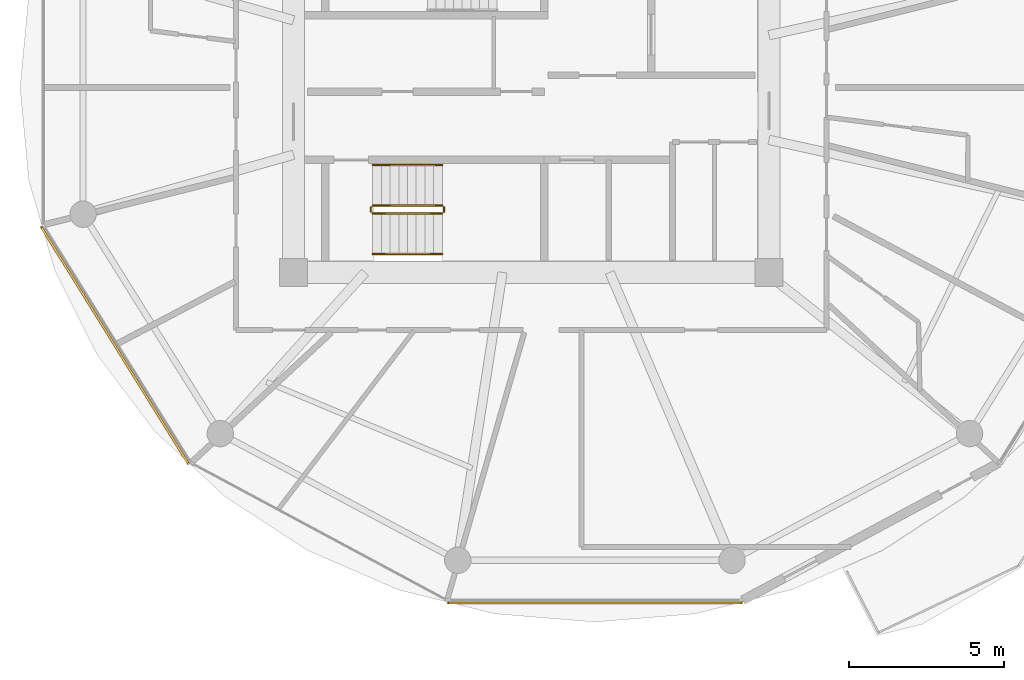
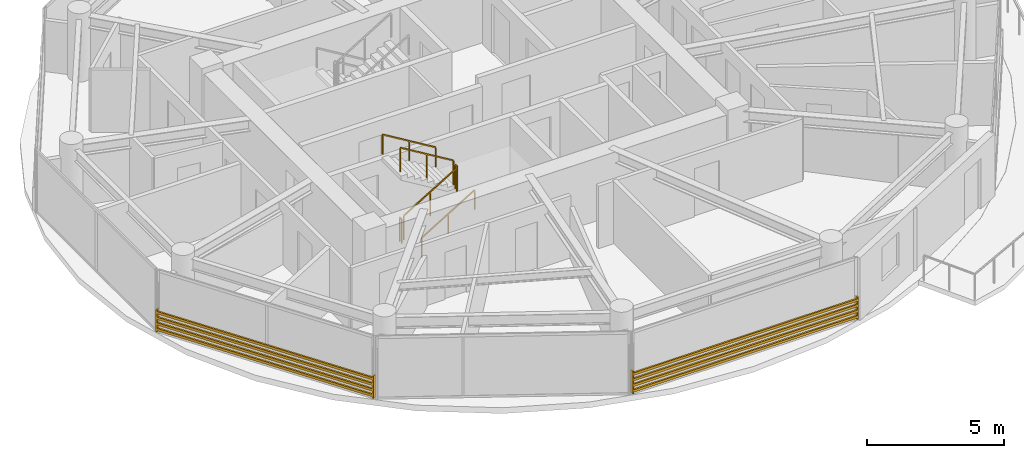
# One storey, part 19 of 22: 6 railings, 2 shading devices.
"""IFC4 building model written with IfcOpenShell, lengths in metres."""

from ifc_helpers import new_model, si_unit, direction, frame, origin, origin_2d, place, context, subcontext, project, spatial, rectangle, extrude, source, transform, mapped, material, type_object, type_shapes, element, save


model = new_model("IFC4")

# Units and contexts
model_context = context("Model", 3, precision=1e-05, world=origin(), true_north=direction((0.0, 1.0)))
body_context = subcontext(model_context, "Body", "Model", "MODEL_VIEW")
ifc_project = project(units=[si_unit("LENGTHUNIT", "METRE"), si_unit("AREAUNIT", "SQUARE_METRE"), si_unit("VOLUMEUNIT", "CUBIC_METRE"), si_unit("PLANEANGLEUNIT", "RADIAN"), si_unit("MASSUNIT", "GRAM", prefix="KILO")], contexts=[model_context])

# Site, building, storey
site_placement = place(None, origin())
site = spatial("IfcSite", under=ifc_project, at=site_placement, CompositionType="ELEMENT")
building_placement = place(site_placement, origin())
building = spatial("IfcBuilding", under=site, at=building_placement, Name="Norrkilde Senior Care Towers", CompositionType="ELEMENT")
storey_placement = place(building_placement, frame((0.0, 0.0, 123.699951171875)))
storey = spatial("IfcBuildingStorey", under=building, at=storey_placement, Name="L38", CompositionType="ELEMENT", Elevation=123.699951171875)

# Railings
ifc_material_1 = material(Name="Stainless Steel", Category="steel")
railing_type_1 = type_object("IfcRailingType", Name="Stair and Terrace Guardrail 1100", PredefinedType="GUARDRAIL", material=ifc_material_1)
railing_1_placement = place(storey_placement, frame((-33.10009765625, -4.050048828125, 0.16943359375)))
element("IfcRailing", 1, at=railing_1_placement, inside=storey, type_object=railing_type_1, Name="L38 ST-W2 stair guard 1", PredefinedType="GUARDRAIL", context=body_context, shape_type="SweptSolid", body=[
    extrude(rectangle(XDim=0.048095703125, YDim=0.048095703125, at=origin_2d()), frame((0.0, 0.0, 1.076171875), z_axis=(0.855512035549, 0.0, 0.517782924622), x_axis=(0.0, 1.0, 0.0)), (0.0, 0.0, 1.0), 2.618408203125),
    extrude(rectangle(XDim=0.0419921875, YDim=0.0419921875, at=origin_2d()), origin(), (0.0, 0.0, 1.0), 1.050048828125),
    extrude(rectangle(XDim=0.0419921875, YDim=0.0419921875, at=origin_2d()), frame((1.1201171875, 0.0, 0.677734375)), (0.0, 0.0, 1.0), 1.050048828125),
    extrude(rectangle(XDim=0.0419921875, YDim=0.0419921875, at=origin_2d()), frame((2.239990234375, 0.0, 1.355712890625)), (0.0, 0.0, 1.0), 1.050048828125),
])
railing_2_placement = place(storey_placement, frame((-30.81005859375, -4.0, 1.525146484375)))
element("IfcRailing", 2, at=railing_2_placement, inside=storey, type_object=railing_type_1, Name="L38 ST-W2 stair guard 2", PredefinedType="GUARDRAIL", context=body_context, shape_type="SweptSolid", body=[
    extrude(rectangle(XDim=0.048095703125, YDim=0.048095703125, at=origin_2d()), frame((0.0, 0.0, 1.076171875), z_axis=(0.0, 1.0, 0.0), x_axis=(-1.0, 0.0, 0.0)), (0.0, 0.0, 1.0), 0.14990234375),
    extrude(rectangle(XDim=0.0419921875, YDim=0.0419921875, at=origin_2d()), origin(), (0.0, 0.0, 1.0), 1.050048828125),
    extrude(rectangle(XDim=0.0419921875, YDim=0.0419921875, at=origin_2d()), frame((0.0, 0.14990234375, 0.0)), (0.0, 0.0, 1.0), 1.050048828125),
])
railing_3_placement = place(storey_placement, frame((-30.860107421875, -3.800048828125, 1.694580078125)))
element("IfcRailing", 3, at=railing_3_placement, inside=storey, type_object=railing_type_1, Name="L38 ST-W2 stair guard 3", PredefinedType="GUARDRAIL", context=body_context, shape_type="SweptSolid", body=[
    extrude(rectangle(XDim=0.048095703125, YDim=0.048095703125, at=origin_2d()), frame((0.0, 0.0, 1.076171875), z_axis=(-0.855553338991, 0.0, 0.51771467445), x_axis=(0.0, -1.0, 0.0)), (0.0, 0.0, 1.0), 2.6181640625),
    extrude(rectangle(XDim=0.0419921875, YDim=0.0419921875, at=origin_2d()), origin(), (0.0, 0.0, 1.0), 1.050048828125),
    extrude(rectangle(XDim=0.0419921875, YDim=0.0419921875, at=origin_2d()), frame((-1.1201171875, 0.0, 0.677734375)), (0.0, 0.0, 1.0), 1.050048828125),
    extrude(rectangle(XDim=0.0419921875, YDim=0.0419921875, at=origin_2d()), frame((-2.239990234375, 0.0, 1.35546875)), (0.0, 0.0, 1.0), 1.050048828125),
])
railing_4_placement = place(storey_placement, frame((-33.14990234375, -4.0, 0.0)))
element("IfcRailing", 4, at=railing_4_placement, inside=storey, type_object=railing_type_1, Name="L38 ST-W2 stair guard 4", PredefinedType="GUARDRAIL", context=body_context, shape_type="SweptSolid", body=[
    extrude(rectangle(XDim=0.048095703125, YDim=0.048095703125, at=origin_2d()), frame((0.0, 0.0, 1.076171875), z_axis=(0.0, 1.0, 0.0), x_axis=(-1.0, 0.0, 0.0)), (0.0, 0.0, 1.0), 0.14990234375),
    extrude(rectangle(XDim=0.0419921875, YDim=0.0419921875, at=origin_2d()), origin(), (0.0, 0.0, 1.0), 1.050048828125),
    extrude(rectangle(XDim=0.0419921875, YDim=0.0419921875, at=origin_2d()), frame((0.0, 0.14990234375, 0.0)), (0.0, 0.0, 1.0), 1.050048828125),
])
ifc_material_2 = material(Name="Nordic Ash Timber", Category="wood")
railing_type_2 = type_object("IfcRailingType", Name="Wall and Stair Handrail 900", PredefinedType="HANDRAIL", material=ifc_material_2)
railing_5_placement = place(storey_placement, frame((-33.10009765625, -5.35009765625, 0.16943359375)))
element("IfcRailing", 5, at=railing_5_placement, inside=storey, type_object=railing_type_2, Name="L38 ST-W2 stair handrail 1", PredefinedType="HANDRAIL", context=body_context, shape_type="SweptSolid", body=[
    extrude(rectangle(XDim=0.048095703125, YDim=0.048095703125, at=origin_2d()), frame((0.0, 0.0, 0.8759765625), z_axis=(0.855512035549, 0.0, 0.517782924622), x_axis=(0.0, 1.0, 0.0)), (0.0, 0.0, 1.0), 2.618408203125),
    extrude(rectangle(XDim=0.0419921875, YDim=0.0419921875, at=origin_2d()), origin(), (0.0, 0.0, 1.0), 0.849853515625),
    extrude(rectangle(XDim=0.0419921875, YDim=0.0419921875, at=origin_2d()), frame((1.1201171875, 0.0, 0.677734375)), (0.0, 0.0, 1.0), 0.849853515625),
    extrude(rectangle(XDim=0.0419921875, YDim=0.0419921875, at=origin_2d()), frame((2.239990234375, 0.0, 1.355712890625)), (0.0, 0.0, 1.0), 0.849853515625),
])
railing_6_placement = place(storey_placement, frame((-30.860107421875, -2.5, 1.694580078125)))
element("IfcRailing", 6, at=railing_6_placement, inside=storey, type_object=railing_type_2, Name="L38 ST-W2 stair handrail 2", PredefinedType="HANDRAIL", context=body_context, shape_type="SweptSolid", body=[
    extrude(rectangle(XDim=0.048095703125, YDim=0.048095703125, at=origin_2d()), frame((0.0, 0.0, 0.8759765625), z_axis=(-0.855553338991, 0.0, 0.51771467445), x_axis=(0.0, -1.0, 0.0)), (0.0, 0.0, 1.0), 2.6181640625),
    extrude(rectangle(XDim=0.0419921875, YDim=0.0419921875, at=origin_2d()), origin(), (0.0, 0.0, 1.0), 0.849853515625),
    extrude(rectangle(XDim=0.0419921875, YDim=0.0419921875, at=origin_2d()), frame((-1.1201171875, 0.0, 0.677734375)), (0.0, 0.0, 1.0), 0.849853515625),
    extrude(rectangle(XDim=0.0419921875, YDim=0.0419921875, at=origin_2d()), frame((-2.239990234375, 0.0, 1.35546875)), (0.0, 0.0, 1.0), 0.849853515625),
])

# Shading devices
ifc_material_3 = material(Name="Architectural Terracotta", Category="masonry")
shading_device_type = type_object("IfcShadingDeviceType", Name="Horizontal Terracotta Baguette Rack", PredefinedType="USERDEFINED", material=ifc_material_3)
shared_shape_1 = source(origin(), body_context, "Body", "SweptSolid", [
    extrude(rectangle(XDim=0.070068359375, YDim=0.110107421875, at=origin_2d()), frame((0.0, 0.090087890625, 0.125), z_axis=(1.0, 0.0, 0.0), x_axis=(0.0, 1.0, 0.0)), (0.0, 0.0, 1.0), 9.01416015625),
    extrude(rectangle(XDim=0.070068359375, YDim=0.110107421875, at=origin_2d()), frame((0.0, 0.090087890625, 0.375), z_axis=(1.0, 0.0, 0.0), x_axis=(0.0, 1.0, 0.0)), (0.0, 0.0, 1.0), 9.01416015625),
    extrude(rectangle(XDim=0.070068359375, YDim=0.110107421875, at=origin_2d()), frame((0.0, 0.090087890625, 0.625), z_axis=(1.0, 0.0, 0.0), x_axis=(0.0, 1.0, 0.0)), (0.0, 0.0, 1.0), 9.01416015625),
    extrude(rectangle(XDim=0.070068359375, YDim=0.110107421875, at=origin_2d()), frame((0.0, 0.090087890625, 0.875), z_axis=(1.0, 0.0, 0.0), x_axis=(0.0, 1.0, 0.0)), (0.0, 0.0, 1.0), 9.01416015625),
    extrude(rectangle(XDim=0.050048828125, YDim=0.1552734375, at=origin_2d()), frame((0.02490234375, 0.047607421875, 0.0)), (0.0, 0.0, 1.0), 1.0),
    extrude(rectangle(XDim=0.050048828125, YDim=0.1552734375, at=origin_2d()), frame((8.9892578125, 0.047607421875, 0.0)), (0.0, 0.0, 1.0), 1.0),
])
shading_device_1_placement = place(storey_placement, frame((-38.946533203125, -12.077392578125, 0.080078125), z_axis=(0.0, 0.0, 1.0), x_axis=(-0.527734142246, 0.849412274525, 0.0)))
element("IfcShadingDevice", 7, at=shading_device_1_placement, inside=storey, type_object=shading_device_type, Name="L38 Drum W Terracotta Baguette Screen 06", ObjectType="BAGUETTE", PredefinedType="USERDEFINED", context=body_context, shape_type="MappedRepresentation", body=[
    mapped(shared_shape_1, transform((0.0, 0.0, 0.0), x_axis=(1.0, 0.0, 0.0), y_axis=(0.0, 1.0, 0.0), z_axis=(0.0, 0.0, 1.0), scale=1.0)),
])
shared_shape_2 = source(origin(), body_context, "Body", "SweptSolid", [
    extrude(rectangle(XDim=0.070068359375, YDim=0.110107421875, at=origin_2d()), frame((0.0, 0.090087890625, 0.125), z_axis=(1.0, 0.0, 0.0), x_axis=(0.0, 1.0, 0.0)), (0.0, 0.0, 1.0), 9.51416015625),
    extrude(rectangle(XDim=0.070068359375, YDim=0.110107421875, at=origin_2d()), frame((0.0, 0.090087890625, 0.375), z_axis=(1.0, 0.0, 0.0), x_axis=(0.0, 1.0, 0.0)), (0.0, 0.0, 1.0), 9.51416015625),
    extrude(rectangle(XDim=0.070068359375, YDim=0.110107421875, at=origin_2d()), frame((0.0, 0.090087890625, 0.625), z_axis=(1.0, 0.0, 0.0), x_axis=(0.0, 1.0, 0.0)), (0.0, 0.0, 1.0), 9.51416015625),
    extrude(rectangle(XDim=0.070068359375, YDim=0.110107421875, at=origin_2d()), frame((0.0, 0.090087890625, 0.875), z_axis=(1.0, 0.0, 0.0), x_axis=(0.0, 1.0, 0.0)), (0.0, 0.0, 1.0), 9.51416015625),
    extrude(rectangle(XDim=0.050048828125, YDim=0.1552734375, at=origin_2d()), frame((0.02490234375, 0.047607421875, 0.0)), (0.0, 0.0, 1.0), 1.0),
    extrude(rectangle(XDim=0.050048828125, YDim=0.1552734375, at=origin_2d()), frame((9.4892578125, 0.047607421875, 0.0)), (0.0, 0.0, 1.0), 1.0),
])
type_shapes(shading_device_type, [shared_shape_1, shared_shape_2])
shading_device_2_placement = place(storey_placement, frame((-21.19287109375, -16.498046875, 0.080078125), z_axis=(0.0, 0.0, 1.0), x_axis=(-1.0, 0.0, 0.0)))
element("IfcShadingDevice", 8, at=shading_device_2_placement, inside=storey, type_object=shading_device_type, Name="L38 Drum W Terracotta Baguette Screen 08", ObjectType="BAGUETTE", PredefinedType="USERDEFINED", context=body_context, shape_type="MappedRepresentation", body=[
    mapped(shared_shape_2, transform((0.0, 0.0, 0.0), x_axis=(1.0, 0.0, 0.0), y_axis=(0.0, 1.0, 0.0), z_axis=(0.0, 0.0, 1.0), scale=1.0)),
])

save(model, "model.ifc")
